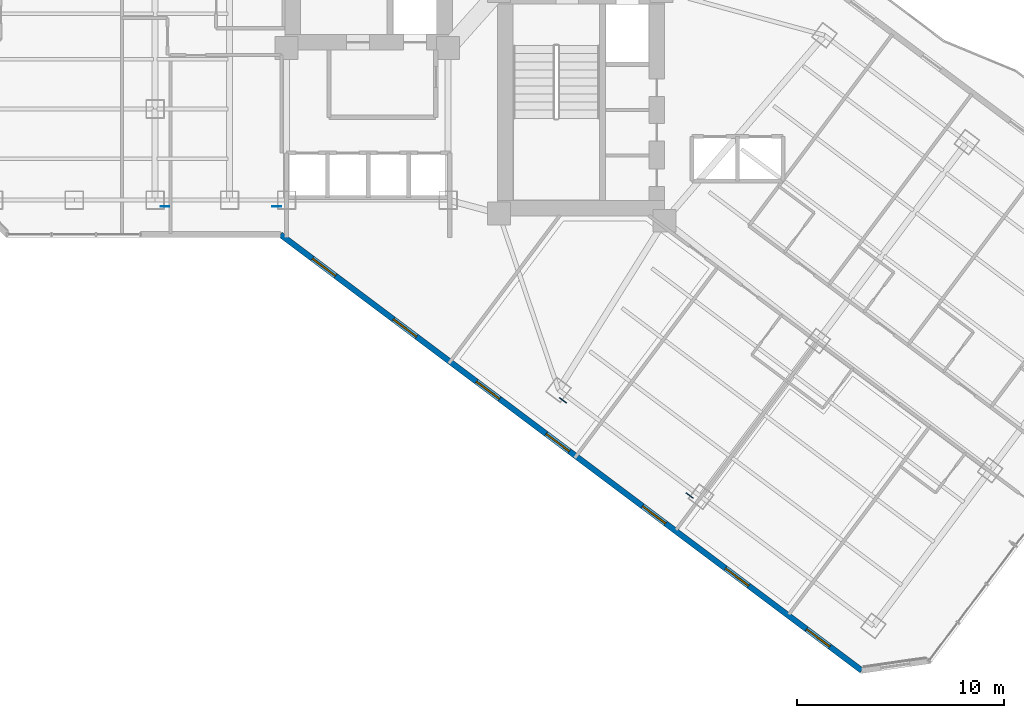
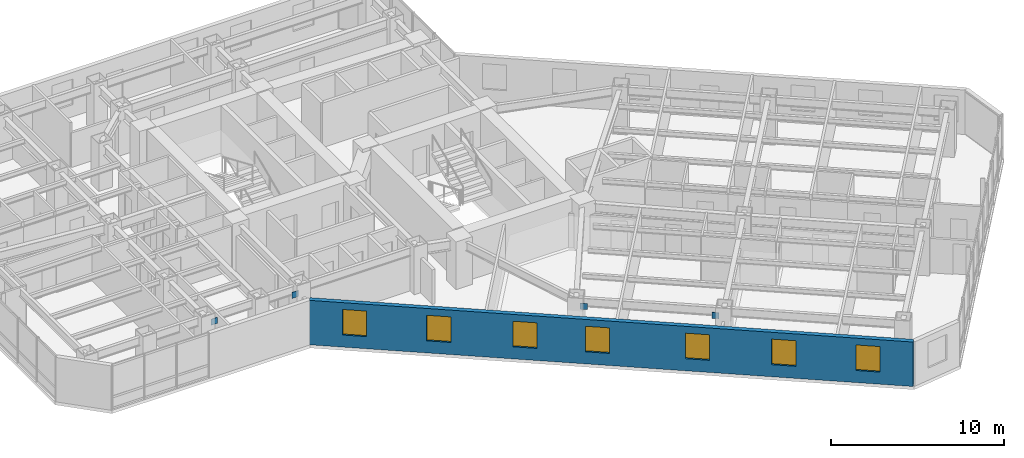
# One storey, part 21 of 31: 7 windows, 4 plates, 1 wall, 7 openings.
"""IFC4 building model written with IfcOpenShell, lengths in metres."""

from ifc_helpers import new_model, si_unit, direction, frame, frame_2d, origin, origin_2d, place, context, subcontext, project, spatial, rectangle, extrude, material, layer, layer_set, type_object, element, fill, save


model = new_model("IFC4")

# Units and contexts
model_context = context("Model", 3, precision=1e-05, world=origin(), true_north=direction((0.0, 1.0)))
body_context = subcontext(model_context, "Body", "Model", "MODEL_VIEW")
ifc_project = project(units=[si_unit("LENGTHUNIT", "METRE"), si_unit("AREAUNIT", "SQUARE_METRE"), si_unit("VOLUMEUNIT", "CUBIC_METRE"), si_unit("PLANEANGLEUNIT", "RADIAN"), si_unit("MASSUNIT", "GRAM", prefix="KILO")], contexts=[model_context])

# Site, building, storey
site_placement = place(None, origin())
site = spatial("IfcSite", under=ifc_project, at=site_placement, CompositionType="ELEMENT")
building_placement = place(site_placement, origin())
building = spatial("IfcBuilding", under=site, at=building_placement, Name="Hatsunagi Terrace Concourse", CompositionType="ELEMENT")
storey_placement = place(building_placement, frame((0.0, 0.0, 81.300048828125)))
storey = spatial("IfcBuildingStorey", under=building, at=storey_placement, Name="L21", CompositionType="ELEMENT", Elevation=81.300048828125)

# Plates
ifc_material_1 = material(Name="Steel SN490C", Category="steel")
ifc_layer_1 = layer(ifc_material_1, 0.031982421875)
ifc_layer_set_1 = layer_set([ifc_layer_1], Name="XBraceNodeCapPlate_32")
plate_type = type_object("IfcPlateType", Name="XBraceNodeCapPlate_32", PredefinedType="USERDEFINED", material=ifc_layer_set_1)
for number, where, z_axis, x_axis, name in (
    (1, (19.675048828125, 24.89990234375, 2.47998046875), (0.0, 0.0, 1.0), (1.0, 0.0, 0.0), "Cast-In Core and Node Embed Plate GP-02 EP-XB-L19-W1-AT"),
    (2, (25.074951171875, 24.89990234375, 2.47998046875), (0.0, 0.0, 1.0), (1.0, 0.0, 0.0), "Cast-In Core and Node Embed Plate GP-02 EP-XB-L19-W1-BT"),
    (3, (38.89208984375, 15.531005859375, 2.47998046875), (0.0, 0.0, 1.0), (0.799999996291, -0.600000004945, 0.0), "Cast-In Core and Node Embed Plate GP-02 EP-XB-L19-SE-AT"),
    (4, (45.011962890625, 10.94091796875, 2.47998046875), (0.0, 0.0, 1.0), (0.799999996291, -0.600000004945, 0.0), "Cast-In Core and Node Embed Plate GP-02 EP-XB-L19-SE-BT"),
):
    element("IfcPlate", number, at=place(storey_placement, frame(where, z_axis=z_axis, x_axis=x_axis)), inside=storey, type_object=plate_type, Name=name, ObjectType="GUSSET_PLATE", PredefinedType="USERDEFINED", context=body_context, shape_type="SweptSolid", body=[
        extrude(rectangle(XDim=0.419921875, YDim=0.031982421875, at=origin_2d()), origin(), (0.0, 0.0, 1.0), 0.419921875),
    ])

# Wall, openings, windows
ifc_material_2 = material(Name="Autoclaved Lightweight Concrete and Terracotta Cladding", Category="masonry")
ifc_layer_2 = layer(ifc_material_2, 0.280029296875)
ifc_layer_set_2 = layer_set([ifc_layer_2], Name="TerracottaSpandrelWall_280")
wall_type = type_object("IfcWallType", Name="TerracottaSpandrelWall_280", PredefinedType="STANDARD", material=ifc_layer_set_2)
wall_placement = place(storey_placement, frame((53.318115234375, 2.487060546875, 0.0), z_axis=(0.0, 0.0, 1.0), x_axis=(-0.800004174678, 0.599994433723, 0.0)))
wall = element("IfcWall", 5, at=wall_placement, inside=storey, type_object=wall_type, Name="Exterior Spandrel Wall EW-L21-05", PredefinedType="STANDARD", context=body_context, shape_type="SweptSolid", body=[
    extrude(rectangle(XDim=35.088623046875, YDim=0.280029296875, at=frame_2d((17.54443359375, 0.0))), origin(), (0.0, 0.0, 1.0), 3.1298828125),
])
opening_1_placement = place(wall_placement, frame((1.930908203125, 0.0, 0.85009765625)))
opening_1 = element("IfcOpeningElement", 6, at=opening_1_placement, cuts=wall, Name="Opening WIN-02", PredefinedType="OPENING", context=body_context, shape_type="SweptSolid", body=[
    extrude(rectangle(XDim=1.39990234375, YDim=1.800048828125, at=frame_2d((0.699951171875, 0.89990234375))), frame((0.0, 0.14990234375, 0.0), z_axis=(0.0, -1.0, 0.0), x_axis=(1.0, 0.0, 0.0)), (0.0, 0.0, 1.0), 0.300048828125),
])
opening_2_placement = place(wall_placement, frame((6.819091796875, 0.0, 0.85009765625)))
opening_2 = element("IfcOpeningElement", 7, at=opening_2_placement, cuts=wall, Name="Opening WIN-02", PredefinedType="OPENING", context=body_context, shape_type="SweptSolid", body=[
    extrude(rectangle(XDim=1.39990234375, YDim=1.800048828125, at=frame_2d((0.699951171875, 0.89990234375))), frame((0.0, 0.14990234375, 0.0), z_axis=(0.0, -1.0, 0.0), x_axis=(1.0, 0.0, 0.0)), (0.0, 0.0, 1.0), 0.300048828125),
])
opening_3_placement = place(wall_placement, frame((11.83203125, 0.0, 0.85009765625)))
opening_3 = element("IfcOpeningElement", 8, at=opening_3_placement, cuts=wall, Name="Opening WIN-02", PredefinedType="OPENING", context=body_context, shape_type="SweptSolid", body=[
    extrude(rectangle(XDim=1.39990234375, YDim=1.800048828125, at=frame_2d((0.699951171875, 0.89990234375))), frame((0.0, 0.14990234375, 0.0), z_axis=(0.0, -1.0, 0.0), x_axis=(1.0, 0.0, 0.0)), (0.0, 0.0, 1.0), 0.300048828125),
])
opening_4_placement = place(wall_placement, frame((17.64697265625, 0.0, 0.85009765625)))
opening_4 = element("IfcOpeningElement", 9, at=opening_4_placement, cuts=wall, Name="Opening WIN-02", PredefinedType="OPENING", context=body_context, shape_type="SweptSolid", body=[
    extrude(rectangle(XDim=1.39990234375, YDim=1.800048828125, at=frame_2d((0.699951171875, 0.89990234375))), frame((0.0, 0.14990234375, 0.0), z_axis=(0.0, -1.0, 0.0), x_axis=(1.0, 0.0, 0.0)), (0.0, 0.0, 1.0), 0.300048828125),
])
opening_5_placement = place(wall_placement, frame((21.85693359375, 0.0, 0.85009765625)))
opening_5 = element("IfcOpeningElement", 10, at=opening_5_placement, cuts=wall, Name="Opening WIN-02", PredefinedType="OPENING", context=body_context, shape_type="SweptSolid", body=[
    extrude(rectangle(XDim=1.39990234375, YDim=1.800048828125, at=frame_2d((0.699951171875, 0.89990234375))), frame((0.0, 0.14990234375, 0.0), z_axis=(0.0, -1.0, 0.0), x_axis=(1.0, 0.0, 0.0)), (0.0, 0.0, 1.0), 0.300048828125),
])
opening_6_placement = place(wall_placement, frame((26.8701171875, 0.0, 0.85009765625)))
opening_6 = element("IfcOpeningElement", 11, at=opening_6_placement, cuts=wall, Name="Opening WIN-02", PredefinedType="OPENING", context=body_context, shape_type="SweptSolid", body=[
    extrude(rectangle(XDim=1.39990234375, YDim=1.800048828125, at=frame_2d((0.699951171875, 0.89990234375))), frame((0.0, 0.14990234375, 0.0), z_axis=(0.0, -1.0, 0.0), x_axis=(1.0, 0.0, 0.0)), (0.0, 0.0, 1.0), 0.300048828125),
])
opening_7_placement = place(wall_placement, frame((31.757080078125, 0.0, 0.85009765625)))
opening_7 = element("IfcOpeningElement", 12, at=opening_7_placement, cuts=wall, Name="Opening WIN-02", PredefinedType="OPENING", context=body_context, shape_type="SweptSolid", body=[
    extrude(rectangle(XDim=1.39990234375, YDim=1.800048828125, at=frame_2d((0.699951171875, 0.89990234375))), frame((0.0, 0.14990234375, 0.0), z_axis=(0.0, -1.0, 0.0), x_axis=(1.0, 0.0, 0.0)), (0.0, 0.0, 1.0), 0.300048828125),
])
ifc_material_3 = material(Name="Thermally Broken Aluminium and Low-E Triple Glazing", Category="aluminium")
window_type = type_object("IfcWindowType", Name="HotelOperableVentWindow_1400x1800", PartitioningType="DOUBLE_PANEL_VERTICAL", PredefinedType="WINDOW", material=ifc_material_3)
window_1_placement = place(opening_1_placement, origin())
window_1 = element("IfcWindow", 13, at=window_1_placement, inside=storey, type_object=window_type, Name="Hotel Perimeter Window L21-05-1", OverallHeight=1.800048828125, OverallWidth=1.39990234375, PartitioningType="SINGLE_PANEL", PredefinedType="WINDOW", context=body_context, shape_type="SweptSolid", body=[
    extrude(rectangle(XDim=1.39990234375, YDim=1.800048828125, at=frame_2d((0.699951171875, 0.89990234375))), frame((0.0, 0.030029296875, 0.0), z_axis=(0.0, -1.0, 0.0), x_axis=(1.0, 0.0, 0.0)), (0.0, 0.0, 1.0), 0.06005859375),
])
fill(opening_1, window_1)
window_2_placement = place(opening_2_placement, origin())
window_2 = element("IfcWindow", 14, at=window_2_placement, inside=storey, type_object=window_type, Name="Hotel Perimeter Window L21-05-2", OverallHeight=1.800048828125, OverallWidth=1.39990234375, PartitioningType="SINGLE_PANEL", PredefinedType="WINDOW", context=body_context, shape_type="SweptSolid", body=[
    extrude(rectangle(XDim=1.39990234375, YDim=1.800048828125, at=frame_2d((0.699951171875, 0.89990234375))), frame((0.0, 0.030029296875, 0.0), z_axis=(0.0, -1.0, 0.0), x_axis=(1.0, 0.0, 0.0)), (0.0, 0.0, 1.0), 0.06005859375),
])
fill(opening_2, window_2)
window_3_placement = place(opening_3_placement, origin())
window_3 = element("IfcWindow", 15, at=window_3_placement, inside=storey, type_object=window_type, Name="Hotel Perimeter Window L21-05-3", OverallHeight=1.800048828125, OverallWidth=1.39990234375, PartitioningType="SINGLE_PANEL", PredefinedType="WINDOW", context=body_context, shape_type="SweptSolid", body=[
    extrude(rectangle(XDim=1.39990234375, YDim=1.800048828125, at=frame_2d((0.699951171875, 0.89990234375))), frame((0.0, 0.030029296875, 0.0), z_axis=(0.0, -1.0, 0.0), x_axis=(1.0, 0.0, 0.0)), (0.0, 0.0, 1.0), 0.06005859375),
])
fill(opening_3, window_3)
window_4_placement = place(opening_4_placement, origin())
window_4 = element("IfcWindow", 16, at=window_4_placement, inside=storey, type_object=window_type, Name="Hotel Perimeter Window L21-05-4", OverallHeight=1.800048828125, OverallWidth=1.39990234375, PartitioningType="SINGLE_PANEL", PredefinedType="WINDOW", context=body_context, shape_type="SweptSolid", body=[
    extrude(rectangle(XDim=1.39990234375, YDim=1.800048828125, at=frame_2d((0.699951171875, 0.89990234375))), frame((0.0, 0.030029296875, 0.0), z_axis=(0.0, -1.0, 0.0), x_axis=(1.0, 0.0, 0.0)), (0.0, 0.0, 1.0), 0.06005859375),
])
fill(opening_4, window_4)
window_5_placement = place(opening_5_placement, origin())
window_5 = element("IfcWindow", 17, at=window_5_placement, inside=storey, type_object=window_type, Name="Hotel Perimeter Window L21-05-5", OverallHeight=1.800048828125, OverallWidth=1.39990234375, PartitioningType="SINGLE_PANEL", PredefinedType="WINDOW", context=body_context, shape_type="SweptSolid", body=[
    extrude(rectangle(XDim=1.39990234375, YDim=1.800048828125, at=frame_2d((0.699951171875, 0.89990234375))), frame((0.0, 0.030029296875, 0.0), z_axis=(0.0, -1.0, 0.0), x_axis=(1.0, 0.0, 0.0)), (0.0, 0.0, 1.0), 0.06005859375),
])
fill(opening_5, window_5)
window_6_placement = place(opening_6_placement, origin())
window_6 = element("IfcWindow", 18, at=window_6_placement, inside=storey, type_object=window_type, Name="Hotel Perimeter Window L21-05-6", OverallHeight=1.800048828125, OverallWidth=1.39990234375, PartitioningType="SINGLE_PANEL", PredefinedType="WINDOW", context=body_context, shape_type="SweptSolid", body=[
    extrude(rectangle(XDim=1.39990234375, YDim=1.800048828125, at=frame_2d((0.699951171875, 0.89990234375))), frame((0.0, 0.030029296875, 0.0), z_axis=(0.0, -1.0, 0.0), x_axis=(1.0, 0.0, 0.0)), (0.0, 0.0, 1.0), 0.06005859375),
])
fill(opening_6, window_6)
window_7_placement = place(opening_7_placement, origin())
window_7 = element("IfcWindow", 19, at=window_7_placement, inside=storey, type_object=window_type, Name="Hotel Perimeter Window L21-05-7", OverallHeight=1.800048828125, OverallWidth=1.39990234375, PartitioningType="SINGLE_PANEL", PredefinedType="WINDOW", context=body_context, shape_type="SweptSolid", body=[
    extrude(rectangle(XDim=1.39990234375, YDim=1.800048828125, at=frame_2d((0.699951171875, 0.89990234375))), frame((0.0, 0.030029296875, 0.0), z_axis=(0.0, -1.0, 0.0), x_axis=(1.0, 0.0, 0.0)), (0.0, 0.0, 1.0), 0.06005859375),
])
fill(opening_7, window_7)

save(model, "model.ifc")
